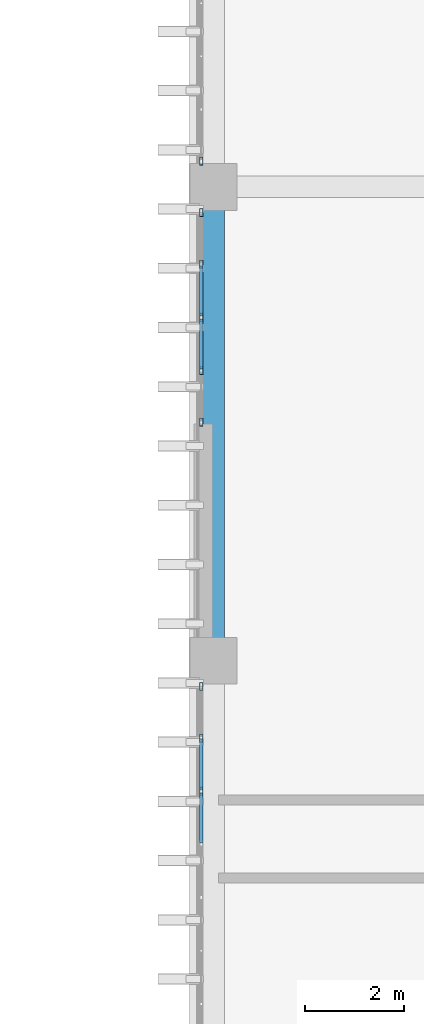
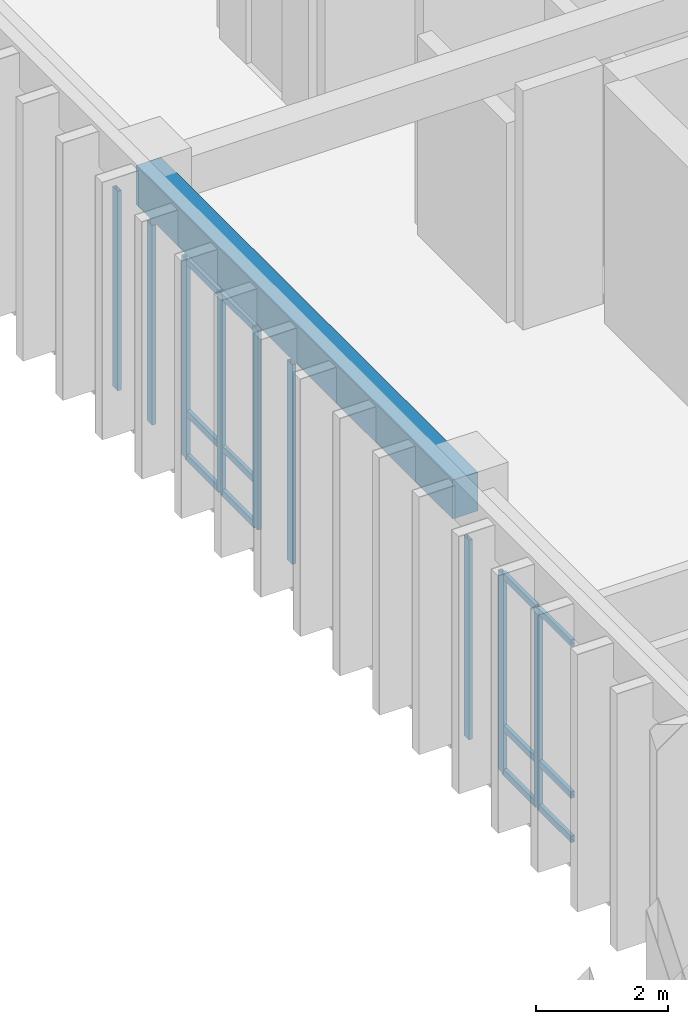
# One storey, part 77 of 133: 21 members, 1 beam, 3 elements without a shape of their own.
"""IFC4 building model written with IfcOpenShell, lengths in metres."""

from ifc_helpers import new_model, si_unit, direction, frame, origin, origin_2d, place, context, subcontext, project, spatial, rectangle, hollow_rectangle, extrude, material, layer, layer_set, material_profile, profile_set, type_object, element, aggregate, save


model = new_model("IFC4")

# Units and contexts
model_context = context("Model", 3, precision=1e-05, world=origin(), true_north=direction((0.0, 1.0)))
body_context = subcontext(model_context, "Body", "Model", "MODEL_VIEW")
ifc_project = project(units=[si_unit("LENGTHUNIT", "METRE"), si_unit("AREAUNIT", "SQUARE_METRE"), si_unit("VOLUMEUNIT", "CUBIC_METRE"), si_unit("PLANEANGLEUNIT", "RADIAN"), si_unit("MASSUNIT", "GRAM", prefix="KILO")], contexts=[model_context])

# Site, building, storey
site_placement = place(None, origin())
site = spatial("IfcSite", under=ifc_project, at=site_placement, CompositionType="ELEMENT")
building_placement = place(site_placement, origin())
building = spatial("IfcBuilding", under=site, at=building_placement, Name="Nakhvara Creek Congress Hotel", CompositionType="ELEMENT")
storey_placement = place(building_placement, frame((0.0, 0.0, 11.39990234375)))
storey = spatial("IfcBuildingStorey", under=building, at=storey_placement, Name="L02", CompositionType="ELEMENT", Elevation=11.39990234375)

# Beam
ifc_material_1 = material(Name="Concrete C40/50", Category="concrete")
ifc_material_profile_1 = material_profile(ifc_material_1, rectangle(XDim=0.43994140625, YDim=0.719970703125, at=origin_2d()), Name="RC-BM 440x720", Category="LoadBearing")
ifc_profile_set_1 = profile_set([ifc_material_profile_1], Name="Concrete C40/50")
beam_type = type_object("IfcBeamType", Name="BM-RC-440X720", PredefinedType="BEAM", material=ifc_profile_set_1)
beam_placement = place(storey_placement, frame((149.449951171875, 105.60009765625, 4.06005859375), z_axis=(0.0, 1.0, 0.0), x_axis=(-1.0, 0.0, 0.0)))
element("IfcBeam", 1, at=beam_placement, inside=storey, type_object=beam_type, Name="Beam B12-L02-1595", PredefinedType="BEAM", context=body_context, shape_type="SweptSolid", body=[
    extrude(rectangle(XDim=0.43994140625, YDim=0.719970703125, at=origin_2d()), origin(), (0.0, 0.0, 1.0), 9.599853515625),
])

# Curtain wall, members
ifc_material_2 = material(Name="Bronze-anodised aluminium AW-6063-T6 and double-silver low-E glass", Category="aluminium")
ifc_layer = layer(ifc_material_2, 0.199951171875)
ifc_layer_set = layer_set([ifc_layer], Name="Bronze-anodised aluminium AW-6063-T6 and double-silver low-E glass")
curtain_wall_type = type_object("IfcCurtainWallType", Name="CW-HTL-UNIT", PredefinedType="USERDEFINED", material=ifc_layer_set)
curtain_wall_1_placement = place(storey_placement, origin())
curtain_wall_1 = element("IfcCurtainWall", 2, at=curtain_wall_1_placement, inside=storey, type_object=curtain_wall_type, Name="Curtain Wall CW144", ObjectType="UNITISED", PredefinedType="USERDEFINED")
ifc_material_3 = material(Name="Bronze-anodised aluminium AW-6063-T6", Category="aluminium")
ifc_material_profile_2 = material_profile(ifc_material_3, hollow_rectangle(XDim=0.06494140625, YDim=0.159912109375, WallThickness=0.00390625, at=origin_2d()), Name="ALU-MULL 65x160x4", Category="LoadBearing")
ifc_profile_set_2 = profile_set([ifc_material_profile_2], Name="Bronze-anodised aluminium AW-6063-T6")
member_type_1 = type_object("IfcMemberType", Name="CW-MULL-160", PredefinedType="MULLION", material=ifc_profile_set_2)
member_1_placement = place(storey_placement, frame((149.199951171875, 102.955078125, 0.0), z_axis=(0.0, 0.0, 1.0), x_axis=(-1.0, 0.0, 0.0)))
member_1 = element("IfcMember", 3, at=member_1_placement, type_object=member_type_1, Name="CW144 mullion 3", PredefinedType="MULLION", context=body_context, shape_type="SweptSolid", body=[
    extrude(hollow_rectangle(XDim=0.06494140625, YDim=0.159912109375, WallThickness=0.00390625, at=origin_2d()), origin(), (0.0, 0.0, 1.0), 3.692138671875),
])
member_2_placement = place(storey_placement, frame((149.199951171875, 104.032470703125, 0.0), z_axis=(0.0, 0.0, 1.0), x_axis=(-1.0, 0.0, 0.0)))
member_2 = element("IfcMember", 4, at=member_2_placement, type_object=member_type_1, Name="CW144 mullion 4", PredefinedType="MULLION", context=body_context, shape_type="SweptSolid", body=[
    extrude(hollow_rectangle(XDim=0.06494140625, YDim=0.159912109375, WallThickness=0.00390625, at=origin_2d()), origin(), (0.0, 0.0, 1.0), 3.692138671875),
])
member_3_placement = place(storey_placement, frame((149.199951171875, 105.077392578125, 0.0), z_axis=(0.0, 0.0, 1.0), x_axis=(-1.0, 0.0, 0.0)))
member_3 = element("IfcMember", 5, at=member_3_placement, type_object=member_type_1, Name="CW144 mullion 5", PredefinedType="MULLION", context=body_context, shape_type="SweptSolid", body=[
    extrude(hollow_rectangle(XDim=0.06494140625, YDim=0.159912109375, WallThickness=0.00390625, at=origin_2d()), origin(), (0.0, 0.0, 1.0), 3.692138671875),
])

curtain_wall_2_placement = place(storey_placement, origin())
curtain_wall_2 = element("IfcCurtainWall", 6, at=curtain_wall_2_placement, inside=storey, type_object=curtain_wall_type, Name="Curtain Wall CW146", ObjectType="UNITISED", PredefinedType="USERDEFINED")
member_4_placement = place(storey_placement, frame((149.199951171875, 110.4326171875, 0.0), z_axis=(0.0, 0.0, 1.0), x_axis=(-1.0, 0.0, 0.0)))
member_4 = element("IfcMember", 7, at=member_4_placement, type_object=member_type_1, Name="CW146 mullion 1", PredefinedType="MULLION", context=body_context, shape_type="SweptSolid", body=[
    extrude(hollow_rectangle(XDim=0.06494140625, YDim=0.159912109375, WallThickness=0.00390625, at=origin_2d()), origin(), (0.0, 0.0, 1.0), 3.692138671875),
])
member_5_placement = place(storey_placement, frame((149.199951171875, 111.4775390625, 0.0), z_axis=(0.0, 0.0, 1.0), x_axis=(-1.0, 0.0, 0.0)))
member_5 = element("IfcMember", 8, at=member_5_placement, type_object=member_type_1, Name="CW146 mullion 2", PredefinedType="MULLION", context=body_context, shape_type="SweptSolid", body=[
    extrude(hollow_rectangle(XDim=0.06494140625, YDim=0.159912109375, WallThickness=0.00390625, at=origin_2d()), origin(), (0.0, 0.0, 1.0), 3.692138671875),
])
member_6_placement = place(storey_placement, frame((149.199951171875, 112.554931640625, 0.0), z_axis=(0.0, 0.0, 1.0), x_axis=(-1.0, 0.0, 0.0)))
member_6 = element("IfcMember", 9, at=member_6_placement, type_object=member_type_1, Name="CW146 mullion 3", PredefinedType="MULLION", context=body_context, shape_type="SweptSolid", body=[
    extrude(hollow_rectangle(XDim=0.06494140625, YDim=0.159912109375, WallThickness=0.00390625, at=origin_2d()), origin(), (0.0, 0.0, 1.0), 3.692138671875),
])
member_7_placement = place(storey_placement, frame((149.199951171875, 113.632568359375, 0.0), z_axis=(0.0, 0.0, 1.0), x_axis=(-1.0, 0.0, 0.0)))
member_7 = element("IfcMember", 10, at=member_7_placement, type_object=member_type_1, Name="CW146 mullion 4", PredefinedType="MULLION", context=body_context, shape_type="SweptSolid", body=[
    extrude(hollow_rectangle(XDim=0.06494140625, YDim=0.159912109375, WallThickness=0.00390625, at=origin_2d()), origin(), (0.0, 0.0, 1.0), 3.692138671875),
])
member_8_placement = place(storey_placement, frame((149.199951171875, 114.677490234375, 0.0), z_axis=(0.0, 0.0, 1.0), x_axis=(-1.0, 0.0, 0.0)))
member_8 = element("IfcMember", 11, at=member_8_placement, type_object=member_type_1, Name="CW146 mullion 5", PredefinedType="MULLION", context=body_context, shape_type="SweptSolid", body=[
    extrude(hollow_rectangle(XDim=0.06494140625, YDim=0.159912109375, WallThickness=0.00390625, at=origin_2d()), origin(), (0.0, 0.0, 1.0), 3.692138671875),
])

# Curtain wall, member
curtain_wall_3_placement = place(storey_placement, origin())
curtain_wall_3 = element("IfcCurtainWall", 12, at=curtain_wall_3_placement, inside=storey, type_object=curtain_wall_type, Name="Curtain Wall CW148", ObjectType="UNITISED", PredefinedType="USERDEFINED")
member_9_placement = place(storey_placement, frame((149.199951171875, 115.722412109375, 0.0), z_axis=(0.0, 0.0, 1.0), x_axis=(-1.0, 0.0, 0.0)))
member_9 = element("IfcMember", 13, at=member_9_placement, type_object=member_type_1, Name="CW148 mullion 1", PredefinedType="MULLION", context=body_context, shape_type="SweptSolid", body=[
    extrude(hollow_rectangle(XDim=0.06494140625, YDim=0.159912109375, WallThickness=0.00390625, at=origin_2d()), origin(), (0.0, 0.0, 1.0), 3.692138671875),
])
aggregate(curtain_wall_3, [member_9])

# Member
ifc_material_profile_3 = material_profile(ifc_material_3, hollow_rectangle(XDim=0.06494140625, YDim=0.1201171875, WallThickness=0.00390625, at=origin_2d()), Name="ALU-TRAN 65x120x4", Category="LoadBearing")
ifc_profile_set_3 = profile_set([ifc_material_profile_3], Name="Bronze-anodised aluminium AW-6063-T6")
member_type_2 = type_object("IfcMemberType", Name="CW-TRAN-120", PredefinedType="USERDEFINED", material=ifc_profile_set_3)
member_10_placement = place(storey_placement, frame((149.199951171875, 101.909912109375, 0.03271484375), z_axis=(0.0, 1.0, 0.0), x_axis=(-1.0, 0.0, 0.0)))
member_10 = element("IfcMember", 14, at=member_10_placement, type_object=member_type_2, Name="CW144 transom 2.1", ObjectType="TRANSOM", PredefinedType="USERDEFINED", context=body_context, shape_type="SweptSolid", body=[
    extrude(hollow_rectangle(XDim=0.06494140625, YDim=0.1201171875, WallThickness=0.00390625, at=origin_2d()), origin(), (0.0, 0.0, 1.0), 1.0126953125),
])

member_11_placement = place(storey_placement, frame((149.199951171875, 101.909912109375, 0.85009765625), z_axis=(0.0, 1.0, 0.0), x_axis=(-1.0, 0.0, 0.0)))
member_11 = element("IfcMember", 15, at=member_11_placement, type_object=member_type_2, Name="CW144 transom 2.2", ObjectType="TRANSOM", PredefinedType="USERDEFINED", context=body_context, shape_type="SweptSolid", body=[
    extrude(hollow_rectangle(XDim=0.06494140625, YDim=0.1201171875, WallThickness=0.00390625, at=origin_2d()), origin(), (0.0, 0.0, 1.0), 1.0126953125),
])

member_12_placement = place(storey_placement, frame((149.199951171875, 101.909912109375, 3.65966796875), z_axis=(0.0, 1.0, 0.0), x_axis=(-1.0, 0.0, 0.0)))
member_12 = element("IfcMember", 16, at=member_12_placement, type_object=member_type_2, Name="CW144 transom 2.3", ObjectType="TRANSOM", PredefinedType="USERDEFINED", context=body_context, shape_type="SweptSolid", body=[
    extrude(hollow_rectangle(XDim=0.06494140625, YDim=0.1201171875, WallThickness=0.00390625, at=origin_2d()), origin(), (0.0, 0.0, 1.0), 1.0126953125),
])

member_13_placement = place(storey_placement, frame((149.199951171875, 102.987548828125, 0.03271484375), z_axis=(0.0, 1.0, 0.0), x_axis=(-1.0, 0.0, 0.0)))
member_13 = element("IfcMember", 17, at=member_13_placement, type_object=member_type_2, Name="CW144 transom 3.1", ObjectType="TRANSOM", PredefinedType="USERDEFINED", context=body_context, shape_type="SweptSolid", body=[
    extrude(hollow_rectangle(XDim=0.06494140625, YDim=0.1201171875, WallThickness=0.00390625, at=origin_2d()), origin(), (0.0, 0.0, 1.0), 1.012451171875),
])

member_14_placement = place(storey_placement, frame((149.199951171875, 102.987548828125, 0.85009765625), z_axis=(0.0, 1.0, 0.0), x_axis=(-1.0, 0.0, 0.0)))
member_14 = element("IfcMember", 18, at=member_14_placement, type_object=member_type_2, Name="CW144 transom 3.2", ObjectType="TRANSOM", PredefinedType="USERDEFINED", context=body_context, shape_type="SweptSolid", body=[
    extrude(hollow_rectangle(XDim=0.06494140625, YDim=0.1201171875, WallThickness=0.00390625, at=origin_2d()), origin(), (0.0, 0.0, 1.0), 1.012451171875),
])

member_15_placement = place(storey_placement, frame((149.199951171875, 102.987548828125, 3.65966796875), z_axis=(0.0, 1.0, 0.0), x_axis=(-1.0, 0.0, 0.0)))
member_15 = element("IfcMember", 19, at=member_15_placement, type_object=member_type_2, Name="CW144 transom 3.3", ObjectType="TRANSOM", PredefinedType="USERDEFINED", context=body_context, shape_type="SweptSolid", body=[
    extrude(hollow_rectangle(XDim=0.06494140625, YDim=0.1201171875, WallThickness=0.00390625, at=origin_2d()), origin(), (0.0, 0.0, 1.0), 1.012451171875),
])

aggregate(curtain_wall_1, [member_1, member_2, member_3, member_10, member_11, member_12, member_13, member_14, member_15])

member_16_placement = place(storey_placement, frame((149.199951171875, 111.510009765625, 0.03271484375), z_axis=(0.0, 1.0, 0.0), x_axis=(-1.0, 0.0, 0.0)))
member_16 = element("IfcMember", 20, at=member_16_placement, type_object=member_type_2, Name="CW146 transom 2.1", ObjectType="TRANSOM", PredefinedType="USERDEFINED", context=body_context, shape_type="SweptSolid", body=[
    extrude(hollow_rectangle(XDim=0.06494140625, YDim=0.1201171875, WallThickness=0.00390625, at=origin_2d()), origin(), (0.0, 0.0, 1.0), 1.012451171875),
])

member_17_placement = place(storey_placement, frame((149.199951171875, 111.510009765625, 0.85009765625), z_axis=(0.0, 1.0, 0.0), x_axis=(-1.0, 0.0, 0.0)))
member_17 = element("IfcMember", 21, at=member_17_placement, type_object=member_type_2, Name="CW146 transom 2.2", ObjectType="TRANSOM", PredefinedType="USERDEFINED", context=body_context, shape_type="SweptSolid", body=[
    extrude(hollow_rectangle(XDim=0.06494140625, YDim=0.1201171875, WallThickness=0.00390625, at=origin_2d()), origin(), (0.0, 0.0, 1.0), 1.012451171875),
])

member_18_placement = place(storey_placement, frame((149.199951171875, 111.510009765625, 3.65966796875), z_axis=(0.0, 1.0, 0.0), x_axis=(-1.0, 0.0, 0.0)))
member_18 = element("IfcMember", 22, at=member_18_placement, type_object=member_type_2, Name="CW146 transom 2.3", ObjectType="TRANSOM", PredefinedType="USERDEFINED", context=body_context, shape_type="SweptSolid", body=[
    extrude(hollow_rectangle(XDim=0.06494140625, YDim=0.1201171875, WallThickness=0.00390625, at=origin_2d()), origin(), (0.0, 0.0, 1.0), 1.012451171875),
])

member_19_placement = place(storey_placement, frame((149.199951171875, 112.58740234375, 0.03271484375), z_axis=(0.0, 1.0, 0.0), x_axis=(-1.0, 0.0, 0.0)))
member_19 = element("IfcMember", 23, at=member_19_placement, type_object=member_type_2, Name="CW146 transom 3.1", ObjectType="TRANSOM", PredefinedType="USERDEFINED", context=body_context, shape_type="SweptSolid", body=[
    extrude(hollow_rectangle(XDim=0.06494140625, YDim=0.1201171875, WallThickness=0.00390625, at=origin_2d()), origin(), (0.0, 0.0, 1.0), 1.0126953125),
])

member_20_placement = place(storey_placement, frame((149.199951171875, 112.58740234375, 0.85009765625), z_axis=(0.0, 1.0, 0.0), x_axis=(-1.0, 0.0, 0.0)))
member_20 = element("IfcMember", 24, at=member_20_placement, type_object=member_type_2, Name="CW146 transom 3.2", ObjectType="TRANSOM", PredefinedType="USERDEFINED", context=body_context, shape_type="SweptSolid", body=[
    extrude(hollow_rectangle(XDim=0.06494140625, YDim=0.1201171875, WallThickness=0.00390625, at=origin_2d()), origin(), (0.0, 0.0, 1.0), 1.0126953125),
])

member_21_placement = place(storey_placement, frame((149.199951171875, 112.58740234375, 3.65966796875), z_axis=(0.0, 1.0, 0.0), x_axis=(-1.0, 0.0, 0.0)))
member_21 = element("IfcMember", 25, at=member_21_placement, type_object=member_type_2, Name="CW146 transom 3.3", ObjectType="TRANSOM", PredefinedType="USERDEFINED", context=body_context, shape_type="SweptSolid", body=[
    extrude(hollow_rectangle(XDim=0.06494140625, YDim=0.1201171875, WallThickness=0.00390625, at=origin_2d()), origin(), (0.0, 0.0, 1.0), 1.0126953125),
])

aggregate(curtain_wall_2, [member_4, member_5, member_6, member_7, member_8, member_16, member_17, member_18, member_19, member_20, member_21])

save(model, "model.ifc")
